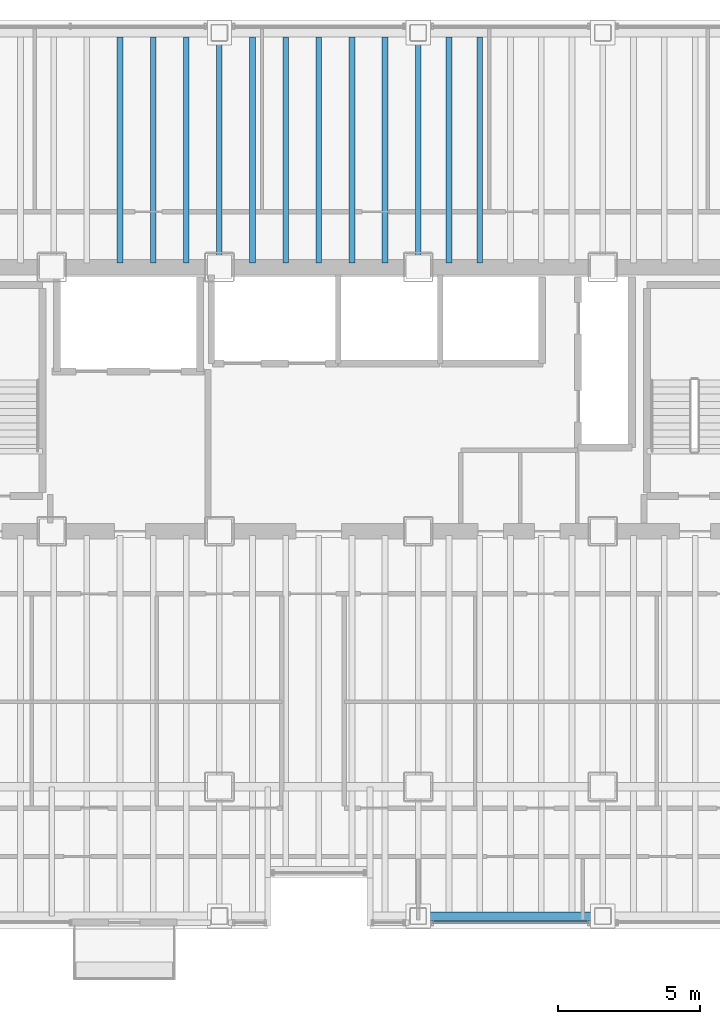
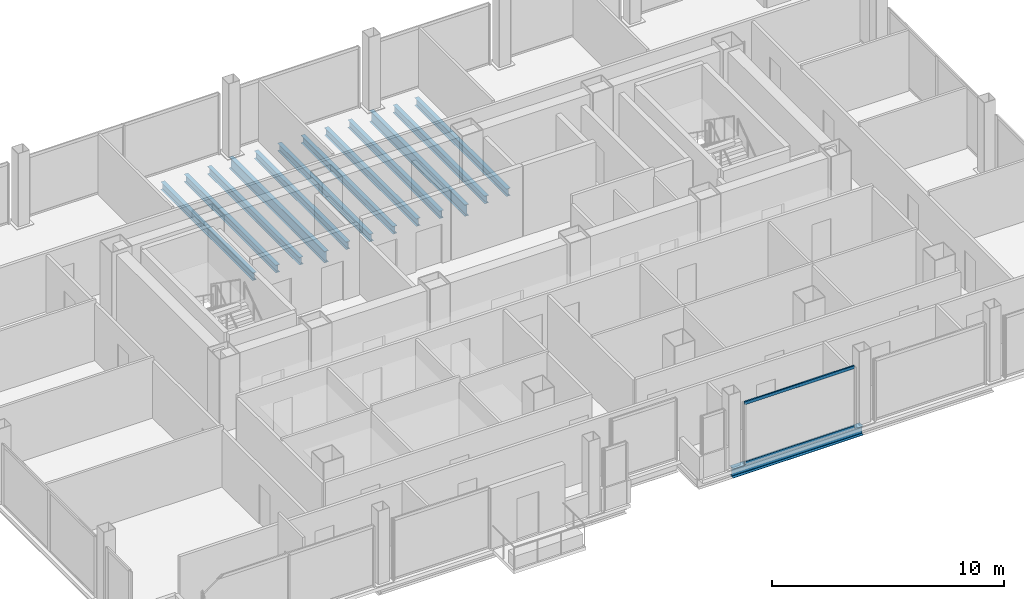
# One storey, part 8 of 21: 13 beams, 2 members, 1 element without a shape of its own.
"""IFC4 building model written with IfcOpenShell, lengths in metres."""

from ifc_helpers import new_model, si_unit, direction, frame, origin, origin_2d, place, context, subcontext, project, spatial, hollow_rectangle, i_section, extrude, material, material_profile, profile_set, type_object, element, aggregate, save


model = new_model("IFC4")

# Units and contexts
model_context = context("Model", 3, precision=1e-05, world=origin(), true_north=direction((0.0, 1.0)))
body_context = subcontext(model_context, "Body", "Model", "MODEL_VIEW")
ifc_project = project(units=[si_unit("LENGTHUNIT", "METRE"), si_unit("AREAUNIT", "SQUARE_METRE"), si_unit("VOLUMEUNIT", "CUBIC_METRE"), si_unit("PLANEANGLEUNIT", "RADIAN"), si_unit("MASSUNIT", "GRAM", prefix="KILO")], contexts=[model_context])

# Site, building, storey
site_placement = place(None, origin())
site = spatial("IfcSite", under=ifc_project, at=site_placement, CompositionType="ELEMENT")
building_placement = place(site_placement, origin())
building = spatial("IfcBuilding", under=site, at=building_placement, Name="Noeulbin Bourse Tower", CompositionType="ELEMENT")
storey_placement = place(building_placement, frame((0.0, 0.0, 30.39990234375)))
storey = spatial("IfcBuildingStorey", under=building, at=storey_placement, Name="L07", CompositionType="ELEMENT", Elevation=30.39990234375)

# Beams
ifc_material_1 = material(Name="Steel S355", Category="steel")
ifc_material_profile_1 = material_profile(ifc_material_1, i_section(OverallWidth=0.199951171875, OverallDepth=0.60009765625, WebThickness=0.010986328125, FlangeThickness=0.01708984375, FilletRadius=0.02197265625, at=origin_2d()), Name="H-600x200x11x17", Category="LoadBearing")
ifc_profile_set_1 = profile_set([ifc_material_profile_1], Name="Steel S355")
beam_type_1 = type_object("IfcBeamType", Name="BM-GRD-600", PredefinedType="USERDEFINED", material=ifc_profile_set_1)
for number, where, z_axis, x_axis, name in (
    (1, (24.0, 38.300048828125, -0.47998046875), (0.0, 1.0, 0.0), (-1.0, 0.0, 0.0), "Tower Primary Girder NS L07-2.4"),
    (2, (31.0, 38.300048828125, -0.47998046875), (0.0, 1.0, 0.0), (-1.0, 0.0, 0.0), "Tower Primary Girder NS L07-3.4"),
):
    element("IfcBeam", number, at=place(storey_placement, frame(where, z_axis=z_axis, x_axis=x_axis)), inside=storey, type_object=beam_type_1, Name=name, ObjectType="GIRDER", PredefinedType="USERDEFINED", context=body_context, shape_type="SweptSolid", body=[
        extrude(i_section(OverallWidth=0.199951171875, OverallDepth=0.60009765625, WebThickness=0.010986328125, FlangeThickness=0.01708984375, FilletRadius=0.02197265625, at=origin_2d()), origin(), (0.0, 0.0, 1.0), 8.25),
    ])
ifc_material_profile_2 = material_profile(ifc_material_1, i_section(OverallWidth=0.199951171875, OverallDepth=0.39990234375, WebThickness=0.008056640625, FlangeThickness=0.012939453125, FilletRadius=0.01611328125, at=origin_2d()), Name="H-400x200x8x13", Category="LoadBearing")
ifc_profile_set_2 = profile_set([ifc_material_profile_2], Name="Steel S355")
beam_type_2 = type_object("IfcBeamType", Name="BM-SEC-400", PredefinedType="BEAM", material=ifc_profile_set_2)
for number, where, z_axis, x_axis, name in (
    (3, (20.5, 38.449951171875, -0.3798828125), (0.0, 1.0, 0.0), (-1.0, 0.0, 0.0), "Tower Composite Joist L07-17"),
    (4, (21.666748046875, 38.449951171875, -0.3798828125), (0.0, 1.0, 0.0), (-1.0, 0.0, 0.0), "Tower Composite Joist L07-20"),
    (5, (22.833251953125, 38.449951171875, -0.3798828125), (0.0, 1.0, 0.0), (-1.0, 0.0, 0.0), "Tower Composite Joist L07-23"),
    (6, (25.166748046875, 38.449951171875, -0.3798828125), (0.0, 1.0, 0.0), (-1.0, 0.0, 0.0), "Tower Composite Joist L07-26"),
    (7, (26.333251953125, 38.449951171875, -0.3798828125), (0.0, 1.0, 0.0), (-1.0, 0.0, 0.0), "Tower Composite Joist L07-29"),
    (8, (27.5, 38.449951171875, -0.3798828125), (0.0, 1.0, 0.0), (-1.0, 0.0, 0.0), "Tower Composite Joist L07-32"),
    (9, (28.666748046875, 38.449951171875, -0.3798828125), (0.0, 1.0, 0.0), (-1.0, 0.0, 0.0), "Tower Composite Joist L07-35"),
    (10, (29.833251953125, 38.449951171875, -0.3798828125), (0.0, 1.0, 0.0), (-1.0, 0.0, 0.0), "Tower Composite Joist L07-38"),
    (11, (32.083251953125, 38.449951171875, -0.3798828125), (0.0, 1.0, 0.0), (-1.0, 0.0, 0.0), "Tower Composite Joist L07-41"),
    (12, (33.166748046875, 38.449951171875, -0.3798828125), (0.0, 1.0, 0.0), (-1.0, 0.0, 0.0), "Tower Composite Joist L07-44"),
):
    element("IfcBeam", number, at=place(storey_placement, frame(where, z_axis=z_axis, x_axis=x_axis)), inside=storey, type_object=beam_type_2, Name=name, PredefinedType="BEAM", context=body_context, shape_type="SweptSolid", body=[
        extrude(i_section(OverallWidth=0.199951171875, OverallDepth=0.39990234375, WebThickness=0.008056640625, FlangeThickness=0.012939453125, FilletRadius=0.01611328125, at=origin_2d()), origin(), (0.0, 0.0, 1.0), 7.949951171875),
    ])
ifc_material_profile_3 = material_profile(ifc_material_1, i_section(OverallWidth=0.300048828125, OverallDepth=0.488037109375, WebThickness=0.010986328125, FlangeThickness=0.01806640625, FilletRadius=0.02197265625, at=origin_2d()), Name="H-488x300x11x18", Category="LoadBearing")
ifc_profile_set_3 = profile_set([ifc_material_profile_3], Name="Steel S355")
beam_type_3 = type_object("IfcBeamType", Name="BM-SPN-488", PredefinedType="SPANDREL", material=ifc_profile_set_3)
beam_placement = place(storey_placement, frame((31.0, 15.449951171875, -0.423828125), z_axis=(1.0, 0.0, 0.0), x_axis=(0.0, 1.0, 0.0)))
element("IfcBeam", 13, at=beam_placement, inside=storey, type_object=beam_type_3, Name="South Spandrel L07-3", PredefinedType="SPANDREL", context=body_context, shape_type="SweptSolid", body=[
    extrude(i_section(OverallWidth=0.300048828125, OverallDepth=0.488037109375, WebThickness=0.010986328125, FlangeThickness=0.01806640625, FilletRadius=0.02197265625, at=origin_2d()), origin(), (0.0, 0.0, 1.0), 6.5),
])

# Curtain wall, members
ifc_material_2 = material(Name="Dark Solar-Control Double Glazing", Category="glass")
curtain_wall_type = type_object("IfcCurtainWallType", Name="CW-SYS-2", PredefinedType="NOTDEFINED", material=ifc_material_2)
curtain_wall_placement = place(storey_placement, origin())
curtain_wall = element("IfcCurtainWall", 14, at=curtain_wall_placement, inside=storey, type_object=curtain_wall_type, Name="Unitised Curtain Wall CW-L07-S3-S2", PredefinedType="NOTDEFINED")
ifc_material_3 = material(Name="Anodised Aluminium 6063-T6", Category="aluminium")
ifc_material_profile_4 = material_profile(ifc_material_3, hollow_rectangle(XDim=0.074951171875, YDim=0.159912109375, WallThickness=0.0048828125, InnerFilletRadius=0.00244140625, OuterFilletRadius=0.0048828125, at=origin_2d()), Name="ALU-TRAN-75x160x5", Category="LoadBearing")
ifc_profile_set_4 = profile_set([ifc_material_profile_4], Name="Anodised Aluminium 6063-T6")
member_type = type_object("IfcMemberType", Name="CW-SYS-2-TRN", PredefinedType="USERDEFINED", material=ifc_profile_set_4)
member_1_placement = place(storey_placement, frame((31.510009765625, 15.219970703125, 0.010009765625), z_axis=(1.0, 0.0, 0.0), x_axis=(0.0, 1.0, 0.0)))
member_1 = element("IfcMember", 15, at=member_1_placement, type_object=member_type, Name="Curtain Wall Transom CW-L07-S3-S2-T00", ObjectType="TRANSOM", PredefinedType="USERDEFINED", context=body_context, shape_type="SweptSolid", body=[
    extrude(hollow_rectangle(XDim=0.074951171875, YDim=0.159912109375, WallThickness=0.0048828125, InnerFilletRadius=0.00244140625, OuterFilletRadius=0.0048828125, at=origin_2d()), origin(), (0.0, 0.0, 1.0), 5.47998046875),
])
member_2_placement = place(storey_placement, frame((31.510009765625, 15.219970703125, 3.170166015625), z_axis=(1.0, 0.0, 0.0), x_axis=(0.0, 1.0, 0.0)))
member_2 = element("IfcMember", 16, at=member_2_placement, type_object=member_type, Name="Curtain Wall Transom CW-L07-S3-S2-T01", ObjectType="TRANSOM", PredefinedType="USERDEFINED", context=body_context, shape_type="SweptSolid", body=[
    extrude(hollow_rectangle(XDim=0.074951171875, YDim=0.159912109375, WallThickness=0.0048828125, InnerFilletRadius=0.00244140625, OuterFilletRadius=0.0048828125, at=origin_2d()), origin(), (0.0, 0.0, 1.0), 5.47998046875),
])
aggregate(curtain_wall, [member_1, member_2])

save(model, "model.ifc")
